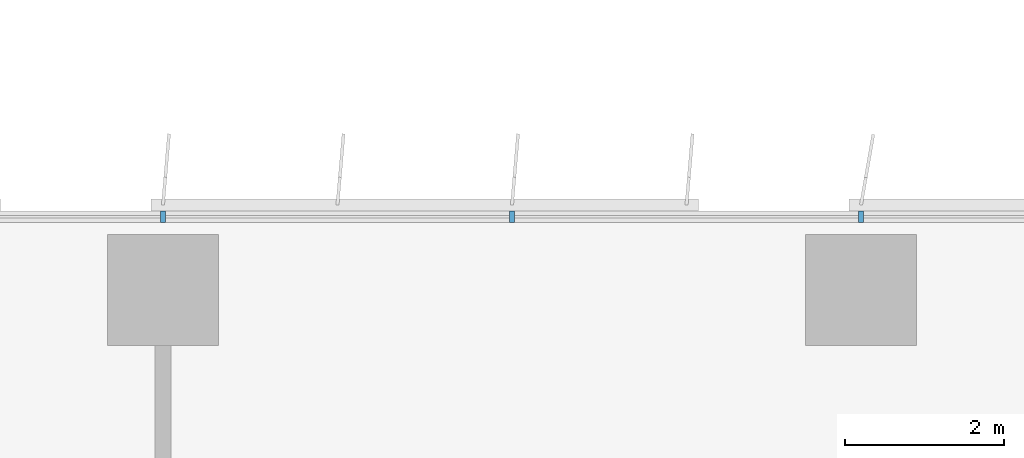
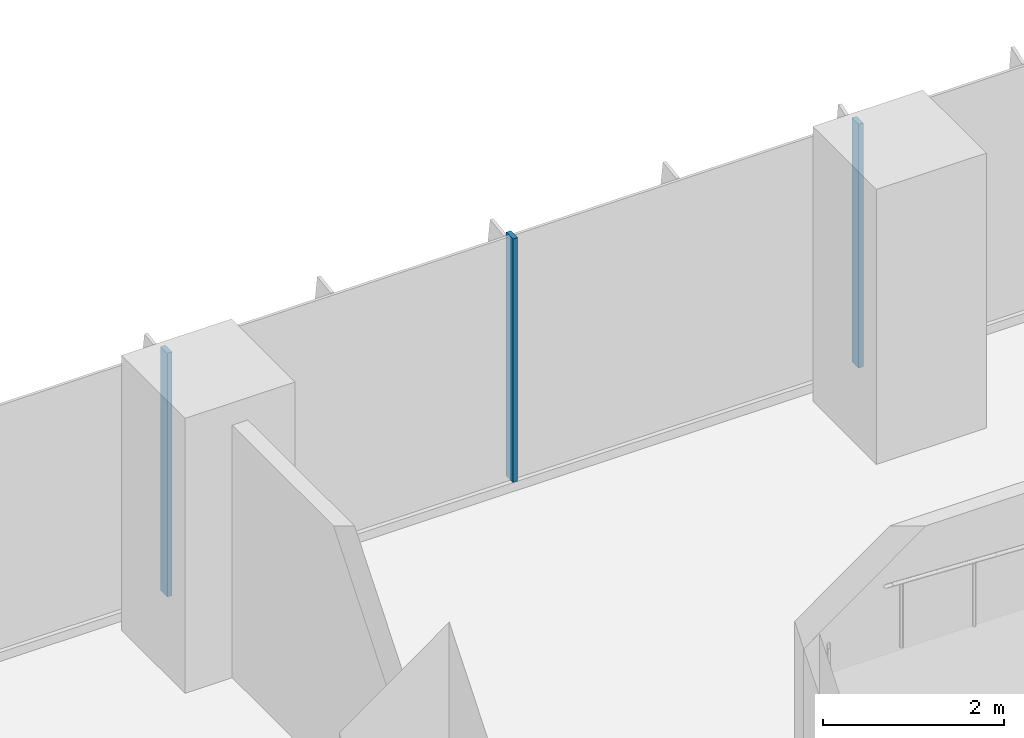
# One storey, part 4 of 24: 3 members, 1 element without a shape of its own.
"""IFC4 building model written with IfcOpenShell, lengths in metres."""

from ifc_helpers import new_model, si_unit, direction, frame, origin, origin_2d, place, context, subcontext, project, spatial, rectangle, extrude, source, transform, mapped, material, material_profile, profile_set, type_object, element, aggregate, save


model = new_model("IFC4")

# Units and contexts
model_context = context("Model", 3, precision=1e-05, world=origin(), true_north=direction((0.0, 1.0)))
body_context = subcontext(model_context, "Body", "Model", "MODEL_VIEW")
ifc_project = project(units=[si_unit("LENGTHUNIT", "METRE"), si_unit("AREAUNIT", "SQUARE_METRE"), si_unit("VOLUMEUNIT", "CUBIC_METRE"), si_unit("PLANEANGLEUNIT", "RADIAN"), si_unit("MASSUNIT", "GRAM", prefix="KILO")], contexts=[model_context])

# Site, building, storey
site_placement = place(None, origin())
site = spatial("IfcSite", under=ifc_project, at=site_placement, CompositionType="ELEMENT")
building_placement = place(site_placement, origin())
building = spatial("IfcBuilding", under=site, at=building_placement, Name="Kemantara Hotel Tower", CompositionType="ELEMENT")
storey_placement = place(building_placement, frame((0.0, 0.0, 45.10009765625)))
storey = spatial("IfcBuildingStorey", under=building, at=storey_placement, Name="L09", CompositionType="ELEMENT", Elevation=45.10009765625)

# Curtain wall, members
ifc_material_1 = material(Name="Low-E tinted double insulated glass 36 mm", Category="glass")
curtain_wall_type = type_object("IfcCurtainWallType", Name="TOWER CURTAIN WALL, FRONT FACES", PredefinedType="USERDEFINED", material=ifc_material_1)
curtain_wall_placement = place(storey_placement, origin())
curtain_wall = element("IfcCurtainWall", 1, at=curtain_wall_placement, inside=storey, type_object=curtain_wall_type, Name="CW4 L09 T1-R07-1", ObjectType="TOWER CURTAIN WALL, FRONT FACES", PredefinedType="USERDEFINED")
ifc_material_2 = material(Name="Aluminium 6063-T6 bronze anodised", Category="aluminium")
ifc_material_profile = material_profile(ifc_material_2, rectangle(XDim=0.14990234375, YDim=0.06005859375, at=origin_2d()), Name="TOWER CURTAIN WALL, FRONT FACES MULLION")
ifc_profile_set = profile_set([ifc_material_profile], Name="Aluminium 6063-T6 bronze anodised")
member_type = type_object("IfcMemberType", Name="TOWER CURTAIN WALL, FRONT FACES MULLION", PredefinedType="MULLION", material=ifc_profile_set)
shared_shape = source(origin(), body_context, "Body", "SweptSolid", [
    extrude(rectangle(XDim=0.14990234375, YDim=0.06005859375, at=origin_2d()), origin(), (0.0, 0.0, 1.0), 3.280029296875),
])
member_1_placement = place(storey_placement, frame((62.60009765625, 26.72509765625, 0.119873046875), z_axis=(0.0, 0.0, 1.0), x_axis=(0.0, -1.0, 0.0)))
member_1 = element("IfcMember", 2, at=member_1_placement, type_object=member_type, Name="CW4 mullion T1-R07-1.5", PredefinedType="MULLION", context=body_context, shape_type="MappedRepresentation", body=[
    mapped(shared_shape, transform((0.0, 0.0, 0.0))),
])
member_2_placement = place(storey_placement, frame((58.199951171875, 26.72509765625, 0.119873046875), z_axis=(0.0, 0.0, 1.0), x_axis=(0.0, -1.0, 0.0)))
member_2 = element("IfcMember", 3, at=member_2_placement, type_object=member_type, Name="CW4 mullion T1-R07-1.6", PredefinedType="MULLION", context=body_context, shape_type="MappedRepresentation", body=[
    mapped(shared_shape, transform((0.0, 0.0, 0.0))),
])
member_3_placement = place(storey_placement, frame((53.800048828125, 26.72509765625, 0.119873046875), z_axis=(0.0, 0.0, 1.0), x_axis=(0.0, -1.0, 0.0)))
member_3 = element("IfcMember", 4, at=member_3_placement, type_object=member_type, Name="CW4 mullion T1-R07-1.7", PredefinedType="MULLION", context=body_context, shape_type="MappedRepresentation", body=[
    mapped(shared_shape, transform((0.0, 0.0, 0.0))),
])
aggregate(curtain_wall, [member_1, member_2, member_3])

save(model, "model.ifc")
